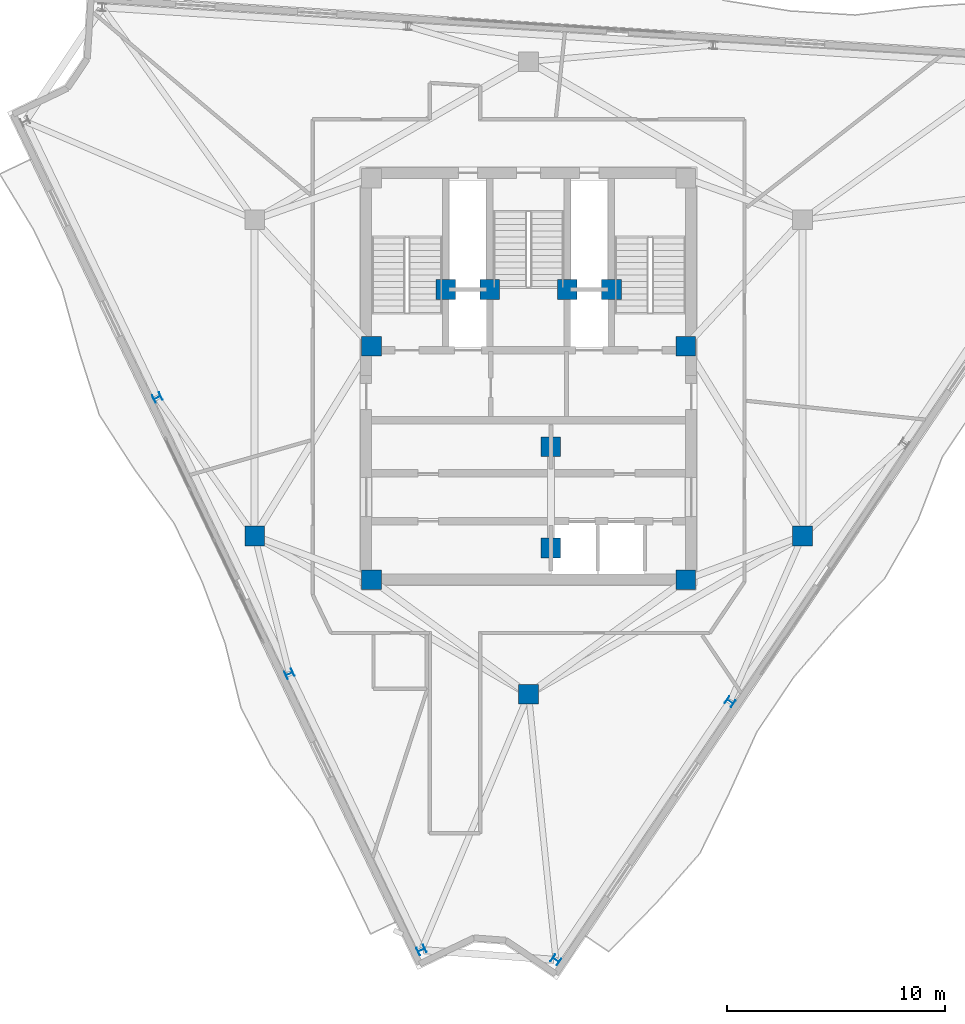
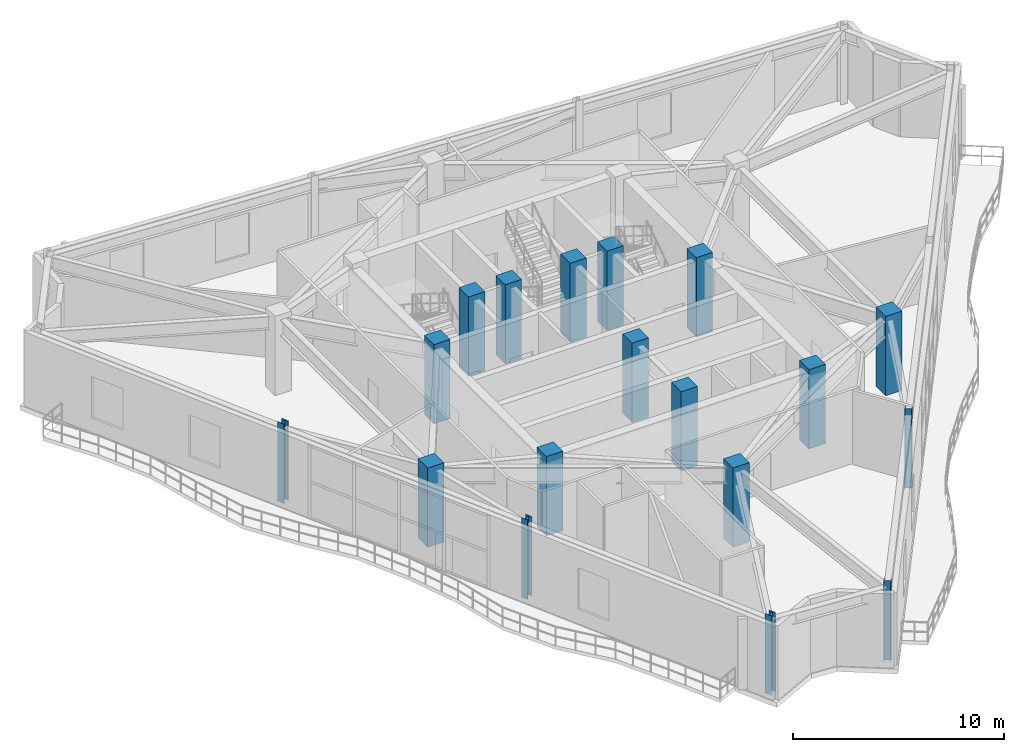
# One storey, part 1 of 15: 18 columns.
"""IFC4 building model written with IfcOpenShell, lengths in metres."""

from ifc_helpers import new_model, si_unit, direction, frame, origin, origin_2d, place, context, subcontext, project, spatial, rectangle, i_section, extrude, material, material_profile, profile_set, type_object, element, save


model = new_model("IFC4")

# Units and contexts
model_context = context("Model", 3, precision=1e-05, world=origin(), true_north=direction((0.0, 1.0)))
body_context = subcontext(model_context, "Body", "Model", "MODEL_VIEW")
ifc_project = project(units=[si_unit("LENGTHUNIT", "METRE"), si_unit("AREAUNIT", "SQUARE_METRE"), si_unit("VOLUMEUNIT", "CUBIC_METRE"), si_unit("PLANEANGLEUNIT", "RADIAN"), si_unit("MASSUNIT", "GRAM", prefix="KILO")], contexts=[model_context])

# Site, building, storey
site_placement = place(None, origin())
site = spatial("IfcSite", under=ifc_project, at=site_placement, CompositionType="ELEMENT")
building_placement = place(site_placement, origin())
building = spatial("IfcBuilding", under=site, at=building_placement, Name="Apsidion Concourse Tower", CompositionType="ELEMENT")
storey_placement = place(building_placement, frame((0.0, 0.0, 323.39990234375)))
storey = spatial("IfcBuildingStorey", under=building, at=storey_placement, Name="L76", CompositionType="ELEMENT", Elevation=323.39990234375)

# Columns
ifc_material_1 = material(Name="Concrete C50/60", Category="concrete")
ifc_material_profile_1 = material_profile(ifc_material_1, rectangle(XDim=0.89990234375, YDim=0.89990234375, at=origin_2d()), Name="RC 900x900")
ifc_profile_set_1 = profile_set([ifc_material_profile_1], Name="Concrete C50/60")
column_type_1 = type_object("IfcColumnType", Name="COL-RC-900", PredefinedType="COLUMN", material=ifc_profile_set_1)
for number, where, z_axis, x_axis, name in (
    (1, (-7.199951171875, -9.25, 0.0), (0.0, 0.0, 1.0), (1.0, 0.0, 0.0), "L76 Core Super-Column SC1"),
    (2, (7.199951171875, -9.25, 0.0), (0.0, 0.0, 1.0), (1.0, 0.0, 0.0), "L76 Core Super-Column SC2"),
    (3, (7.199951171875, 1.449951171875, 0.0), (0.0, 0.0, 1.0), (1.0, 0.0, 0.0), "L76 Core Super-Column SC3"),
    (4, (-7.199951171875, 1.449951171875, 0.0), (0.0, 0.0, 1.0), (1.0, 0.0, 0.0), "L76 Core Super-Column SC6"),
    (5, (-3.800048828125, 4.050048828125, 0.0), (0.0, 0.0, 1.0), (1.0, 0.0, 0.0), "L76 Core Super-Column CC1"),
    (6, (3.800048828125, 4.050048828125, 0.0), (0.0, 0.0, 1.0), (1.0, 0.0, 0.0), "L76 Core Super-Column CC2"),
    (7, (-1.77490234375, 4.050048828125, 0.0), (0.0, 0.0, 1.0), (1.0, 0.0, 0.0), "L76 Core Super-Column CC3"),
    (8, (1.77490234375, 4.050048828125, 0.0), (0.0, 0.0, 1.0), (1.0, 0.0, 0.0), "L76 Core Super-Column CC4"),
    (9, (1.02490234375, -3.14990234375, 0.0), (0.0, 0.0, 1.0), (1.0, 0.0, 0.0), "L76 Core Super-Column CC5"),
    (10, (1.02490234375, -7.800048828125, 0.0), (0.0, 0.0, 1.0), (1.0, 0.0, 0.0), "L76 Core Super-Column CC6"),
    (11, (-12.56005859375, -7.25, 0.0), (0.0, 0.0, 1.0), (1.0, 0.0, 0.0), "L76 Interior Spine Column IC1"),
    (12, (12.56005859375, -7.25, 0.0), (0.0, 0.0, 1.0), (1.0, 0.0, 0.0), "L76 Interior Spine Column IC2"),
    (13, (0.0, -14.5, 0.0), (0.0, 0.0, 1.0), (1.0, 0.0, 0.0), "L76 Interior Spine Column IC6"),
):
    element("IfcColumn", number, at=place(storey_placement, frame(where, z_axis=z_axis, x_axis=x_axis)), inside=storey, type_object=column_type_1, Name=name, PredefinedType="COLUMN", context=body_context, shape_type="SweptSolid", body=[
        extrude(rectangle(XDim=0.89990234375, YDim=0.89990234375, at=origin_2d()), origin(), (0.0, 0.0, 1.0), 4.60009765625),
    ])
ifc_material_2 = material(Name="Structural steel ASTM A992 Grade 50", Category="steel")
ifc_material_profile_2 = material_profile(ifc_material_2, i_section(OverallWidth=0.367919921875, OverallDepth=0.35595703125, WebThickness=0.01123046875, FlangeThickness=0.01806640625, at=origin_2d()), Name="W14X90")
ifc_profile_set_2 = profile_set([ifc_material_profile_2], Name="Structural steel ASTM A992 Grade 50")
column_type_2 = type_object("IfcColumnType", Name="COL-W14-90", PredefinedType="COLUMN", material=ifc_profile_set_2)
for number, where, z_axis, x_axis, name in (
    (14, (-17.019287109375, -0.9033203125, 0.0), (0.0, 0.0, 1.0), (-0.431298587031, 0.902209248913, 0.0), "L76 Rotated Perimeter Column PC02"),
    (15, (-10.965576171875, -13.56494140625, 0.0), (0.0, 0.0, 1.0), (-0.431298587031, 0.902209248913, 0.0), "L76 Rotated Perimeter Column PC03"),
    (16, (-4.91162109375, -26.226806640625, 0.0), (0.0, 0.0, 1.0), (-0.431298587031, 0.902209248913, 0.0), "L76 Rotated Perimeter Column PC04"),
    (17, (1.25390625, -26.681884765625, 0.0), (0.0, 0.0, 1.0), (0.559192903471, 0.829037572555, 0.0), "L76 Rotated Perimeter Column PC05"),
    (18, (9.239013671875, -14.84375, 0.0), (0.0, 0.0, 1.0), (0.559192903471, 0.829037572555, 0.0), "L76 Rotated Perimeter Column PC06"),
):
    element("IfcColumn", number, at=place(storey_placement, frame(where, z_axis=z_axis, x_axis=x_axis)), inside=storey, type_object=column_type_2, Name=name, PredefinedType="COLUMN", context=body_context, shape_type="SweptSolid", body=[
        extrude(i_section(OverallWidth=0.367919921875, OverallDepth=0.35595703125, WebThickness=0.01123046875, FlangeThickness=0.01806640625, at=origin_2d()), origin(), (0.0, 0.0, 1.0), 4.60009765625),
    ])

save(model, "model.ifc")
